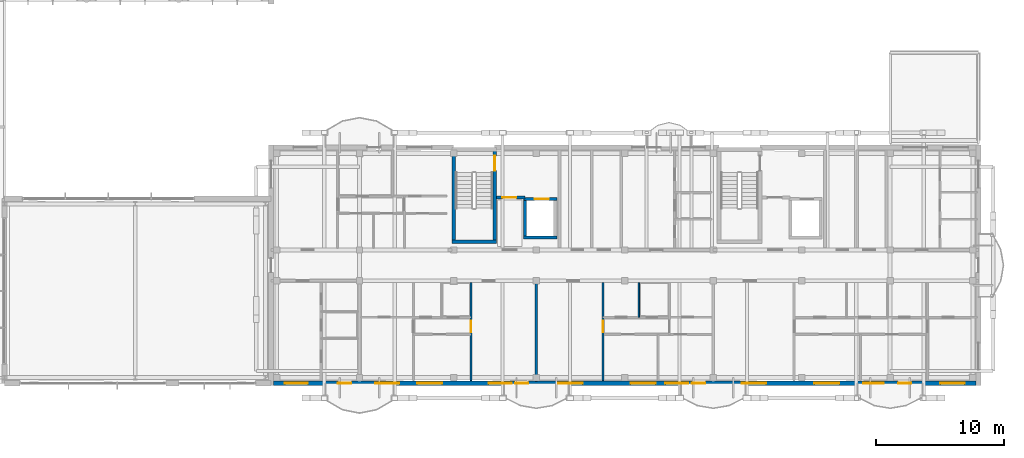
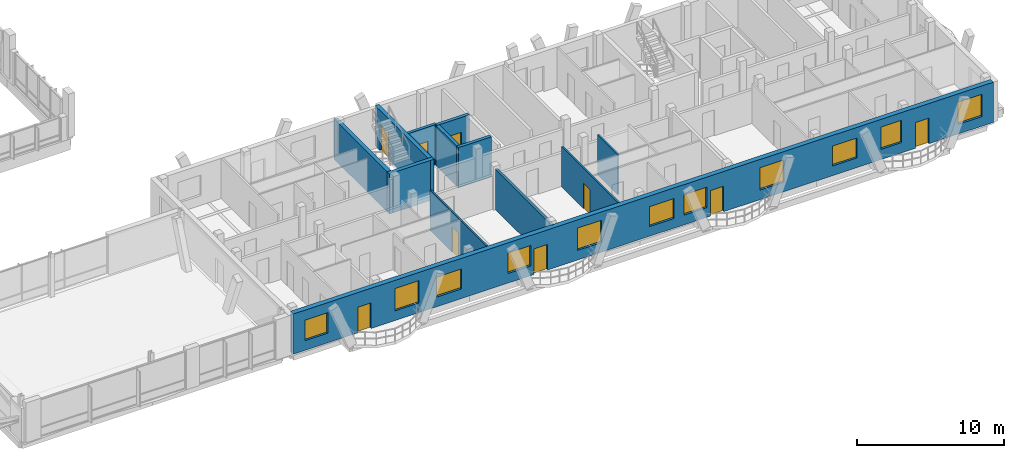
# One storey, part 159 of 189: 12 walls, 11 windows, 9 doors, 20 openings.
"""IFC4 building model written with IfcOpenShell, lengths in metres."""

from ifc_helpers import new_model, si_unit, direction, frame, frame_2d, origin, origin_with_axes, place, context, subcontext, project, spatial, rectangle, extrude, material, layer, layer_set, type_object, element, fill, save


model = new_model("IFC4")

# Units and contexts
model_context = context("Model", 3, precision=1e-05, world=origin(), true_north=direction((0.0, 1.0)))
body_context = subcontext(model_context, "Body", "Model", "MODEL_VIEW")
ifc_project = project(units=[si_unit("LENGTHUNIT", "METRE"), si_unit("AREAUNIT", "SQUARE_METRE"), si_unit("VOLUMEUNIT", "CUBIC_METRE"), si_unit("PLANEANGLEUNIT", "RADIAN"), si_unit("MASSUNIT", "GRAM", prefix="KILO")], contexts=[model_context])

# Site, building, storey
site_placement = place(None, origin())
site = spatial("IfcSite", under=ifc_project, at=site_placement, CompositionType="ELEMENT")
building_placement = place(site_placement, origin())
building = spatial("IfcBuilding", under=site, at=building_placement, Name="Zavelmont Quarter", CompositionType="ELEMENT")
storey_placement = place(building_placement, frame((0.0, 0.0, 4.39990234375)))
storey = spatial("IfcBuildingStorey", under=building, at=storey_placement, Name="L01", CompositionType="ELEMENT", Elevation=4.39990234375)

# Wall, openings, doors, windows
ifc_material_1 = material(Name="Natural Belgian limestone", Category="masonry")
ifc_layer_1 = layer(ifc_material_1, 0.3798828125)
ifc_layer_set_1 = layer_set([ifc_layer_1], Name="Natural Belgian limestone")
wall_type_1 = type_object("IfcWallType", Name="EW01", PredefinedType="STANDARD", material=ifc_layer_set_1)
wall_1_placement = place(storey_placement, frame((112.97998046875, 0.0, 0.0), z_axis=(0.0, 0.0, 1.0), x_axis=(1.0, 0.0, 0.0)))
wall_1 = element("IfcWall", 1, at=wall_1_placement, inside=storey, type_object=wall_type_1, Name="L01 exterior limestone wall EW01", PredefinedType="STANDARD", context=body_context, shape_type="SweptSolid", body=[
    extrude(rectangle(XDim=54.840087890625, YDim=0.3798828125, at=frame_2d((27.419921875, 0.0))), origin(), (0.0, 0.0, 1.0), 3.330078125),
])
opening_1_placement = place(wall_1_placement, frame((5.0400390625, 0.0, 0.0)))
opening_1 = element("IfcOpeningElement", 2, at=opening_1_placement, cuts=wall_1, Name="Opening DR04A", PredefinedType="OPENING", context=body_context, shape_type="SweptSolid", body=[
    extrude(rectangle(XDim=1.050048828125, YDim=2.1201171875, at=frame_2d((0.52490234375, 1.06005859375))), frame((0.0, 0.201904296875, 0.0), z_axis=(0.0, -1.0, 0.0), x_axis=(1.0, 0.0, 0.0)), (0.0, 0.0, 1.0), 0.40380859375),
])
opening_2_placement = place(wall_1_placement, frame((18.857421875, 0.0, 0.0)))
opening_2 = element("IfcOpeningElement", 3, at=opening_2_placement, cuts=wall_1, Name="Opening DR04A", PredefinedType="OPENING", context=body_context, shape_type="SweptSolid", body=[
    extrude(rectangle(XDim=1.050048828125, YDim=2.1201171875, at=frame_2d((0.52490234375, 1.06005859375))), frame((0.0, 0.201904296875, 0.0), z_axis=(0.0, -1.0, 0.0), x_axis=(1.0, 0.0, 0.0)), (0.0, 0.0, 1.0), 0.40380859375),
])
opening_3_placement = place(wall_1_placement, frame((32.657470703125, 0.0, 0.0)))
opening_3 = element("IfcOpeningElement", 4, at=opening_3_placement, cuts=wall_1, Name="Opening DR04A", PredefinedType="OPENING", context=body_context, shape_type="SweptSolid", body=[
    extrude(rectangle(XDim=1.050048828125, YDim=2.1201171875, at=frame_2d((0.52490234375, 1.06005859375))), frame((0.0, 0.201904296875, 0.0), z_axis=(0.0, -1.0, 0.0), x_axis=(1.0, 0.0, 0.0)), (0.0, 0.0, 1.0), 0.40380859375),
])
opening_4_placement = place(wall_1_placement, frame((48.739990234375, 0.0, 0.0)))
opening_4 = element("IfcOpeningElement", 5, at=opening_4_placement, cuts=wall_1, Name="Opening DR04A", PredefinedType="OPENING", context=body_context, shape_type="SweptSolid", body=[
    extrude(rectangle(XDim=1.050048828125, YDim=2.1201171875, at=frame_2d((0.52490234375, 1.06005859375))), frame((0.0, 0.201904296875, 0.0), z_axis=(0.0, -1.0, 0.0), x_axis=(1.0, 0.0, 0.0)), (0.0, 0.0, 1.0), 0.40380859375),
])
opening_5_placement = place(wall_1_placement, frame((0.889892578125, 0.0, 0.800048828125)))
opening_5 = element("IfcOpeningElement", 6, at=opening_5_placement, cuts=wall_1, Name="Opening WN02", PredefinedType="OPENING", context=body_context, shape_type="SweptSolid", body=[
    extrude(rectangle(XDim=1.800048828125, YDim=1.699951171875, at=frame_2d((0.89990234375, 0.85009765625))), frame((0.0, 0.201904296875, 0.0), z_axis=(0.0, -1.0, 0.0), x_axis=(1.0, 0.0, 0.0)), (0.0, 0.0, 1.0), 0.40380859375),
])
opening_6_placement = place(wall_1_placement, frame((7.93994140625, 0.0, 0.800048828125)))
opening_6 = element("IfcOpeningElement", 7, at=opening_6_placement, cuts=wall_1, Name="Opening WN20", PredefinedType="OPENING", context=body_context, shape_type="SweptSolid", body=[
    extrude(rectangle(XDim=1.89990234375, YDim=1.85009765625, at=frame_2d((0.949951171875, 0.925048828125))), frame((0.0, 0.201904296875, 0.0), z_axis=(0.0, -1.0, 0.0), x_axis=(1.0, 0.0, 0.0)), (0.0, 0.0, 1.0), 0.40380859375),
])
opening_7_placement = place(wall_1_placement, frame((11.215087890625, 0.0, 0.800048828125)))
opening_7 = element("IfcOpeningElement", 8, at=opening_7_placement, cuts=wall_1, Name="Opening WN24", PredefinedType="OPENING", context=body_context, shape_type="SweptSolid", body=[
    extrude(rectangle(XDim=1.949951171875, YDim=1.64990234375, at=frame_2d((0.97509765625, 0.824951171875))), frame((0.0, 0.201904296875, 0.0), z_axis=(0.0, -1.0, 0.0), x_axis=(1.0, 0.0, 0.0)), (0.0, 0.0, 1.0), 0.40380859375),
])
opening_8_placement = place(wall_1_placement, frame((16.7900390625, 0.0, 0.800048828125)))
opening_8 = element("IfcOpeningElement", 9, at=opening_8_placement, cuts=wall_1, Name="Opening WN02", PredefinedType="OPENING", context=body_context, shape_type="SweptSolid", body=[
    extrude(rectangle(XDim=1.800048828125, YDim=1.699951171875, at=frame_2d((0.89990234375, 0.85009765625))), frame((0.0, 0.201904296875, 0.0), z_axis=(0.0, -1.0, 0.0), x_axis=(1.0, 0.0, 0.0)), (0.0, 0.0, 1.0), 0.40380859375),
])
opening_9_placement = place(wall_1_placement, frame((22.239990234375, 0.0, 0.800048828125)))
opening_9 = element("IfcOpeningElement", 10, at=opening_9_placement, cuts=wall_1, Name="Opening WN20", PredefinedType="OPENING", context=body_context, shape_type="SweptSolid", body=[
    extrude(rectangle(XDim=1.89990234375, YDim=1.85009765625, at=frame_2d((0.949951171875, 0.925048828125))), frame((0.0, 0.201904296875, 0.0), z_axis=(0.0, -1.0, 0.0), x_axis=(1.0, 0.0, 0.0)), (0.0, 0.0, 1.0), 0.40380859375),
])
opening_10_placement = place(wall_1_placement, frame((27.87255859375, 0.0, 0.800048828125)))
opening_10 = element("IfcOpeningElement", 11, at=opening_10_placement, cuts=wall_1, Name="Opening WN24", PredefinedType="OPENING", context=body_context, shape_type="SweptSolid", body=[
    extrude(rectangle(XDim=1.949951171875, YDim=1.64990234375, at=frame_2d((0.97509765625, 0.824951171875))), frame((0.0, 0.201904296875, 0.0), z_axis=(0.0, -1.0, 0.0), x_axis=(1.0, 0.0, 0.0)), (0.0, 0.0, 1.0), 0.40380859375),
])
opening_11_placement = place(wall_1_placement, frame((30.590087890625, 0.0, 0.800048828125)))
opening_11 = element("IfcOpeningElement", 12, at=opening_11_placement, cuts=wall_1, Name="Opening WN02", PredefinedType="OPENING", context=body_context, shape_type="SweptSolid", body=[
    extrude(rectangle(XDim=1.800048828125, YDim=1.699951171875, at=frame_2d((0.89990234375, 0.85009765625))), frame((0.0, 0.201904296875, 0.0), z_axis=(0.0, -1.0, 0.0), x_axis=(1.0, 0.0, 0.0)), (0.0, 0.0, 1.0), 0.40380859375),
])
opening_12_placement = place(wall_1_placement, frame((36.5400390625, 0.0, 0.800048828125)))
opening_12 = element("IfcOpeningElement", 13, at=opening_12_placement, cuts=wall_1, Name="Opening WN20", PredefinedType="OPENING", context=body_context, shape_type="SweptSolid", body=[
    extrude(rectangle(XDim=1.89990234375, YDim=1.85009765625, at=frame_2d((0.949951171875, 0.925048828125))), frame((0.0, 0.201904296875, 0.0), z_axis=(0.0, -1.0, 0.0), x_axis=(1.0, 0.0, 0.0)), (0.0, 0.0, 1.0), 0.40380859375),
])
opening_13_placement = place(wall_1_placement, frame((42.215087890625, 0.0, 0.800048828125)))
opening_13 = element("IfcOpeningElement", 14, at=opening_13_placement, cuts=wall_1, Name="Opening WN24", PredefinedType="OPENING", context=body_context, shape_type="SweptSolid", body=[
    extrude(rectangle(XDim=1.949951171875, YDim=1.64990234375, at=frame_2d((0.97509765625, 0.824951171875))), frame((0.0, 0.201904296875, 0.0), z_axis=(0.0, -1.0, 0.0), x_axis=(1.0, 0.0, 0.0)), (0.0, 0.0, 1.0), 0.40380859375),
])
opening_14_placement = place(wall_1_placement, frame((46.0400390625, 0.0, 0.85009765625)))
opening_14 = element("IfcOpeningElement", 15, at=opening_14_placement, cuts=wall_1, Name="Opening WN19", PredefinedType="OPENING", context=body_context, shape_type="SweptSolid", body=[
    extrude(rectangle(XDim=1.60009765625, YDim=1.85009765625, at=frame_2d((0.800048828125, 0.925048828125))), frame((0.0, 0.201904296875, 0.0), z_axis=(0.0, -1.0, 0.0), x_axis=(1.0, 0.0, 0.0)), (0.0, 0.0, 1.0), 0.40380859375),
])
opening_15_placement = place(wall_1_placement, frame((52.0400390625, 0.0, 0.800048828125)))
opening_15 = element("IfcOpeningElement", 16, at=opening_15_placement, cuts=wall_1, Name="Opening WN20", PredefinedType="OPENING", context=body_context, shape_type="SweptSolid", body=[
    extrude(rectangle(XDim=1.89990234375, YDim=1.85009765625, at=frame_2d((0.949951171875, 0.925048828125))), frame((0.0, 0.201904296875, 0.0), z_axis=(0.0, -1.0, 0.0), x_axis=(1.0, 0.0, 0.0)), (0.0, 0.0, 1.0), 0.40380859375),
])
ifc_material_2 = material(Name="Thermally broken aluminium and double safety glass", Category="aluminium")
door_type_1 = type_object("IfcDoorType", Name="DR04A", OperationType="NOTDEFINED", PredefinedType="DOOR", material=ifc_material_2)
door_1_placement = place(opening_1_placement, origin_with_axes())
door_1 = element("IfcDoor", 17, at=door_1_placement, inside=storey, type_object=door_type_1, Name="Block D L01 glazed balcony door", OperationType="SINGLE_SWING_RIGHT", OverallHeight=2.1201171875, OverallWidth=1.050048828125, PredefinedType="DOOR", context=body_context, shape_type="SweptSolid", body=[
    extrude(rectangle(XDim=1.050048828125, YDim=2.1201171875, at=frame_2d((0.52490234375, 1.06005859375))), frame((0.0, 0.02490234375, 0.0), z_axis=(0.0, -1.0, 0.0), x_axis=(1.0, 0.0, 0.0)), (0.0, 0.0, 1.0), 0.050048828125),
])
fill(opening_1, door_1)
door_2_placement = place(opening_2_placement, origin_with_axes())
door_2 = element("IfcDoor", 18, at=door_2_placement, inside=storey, type_object=door_type_1, Name="Block D L01 glazed balcony door", OperationType="SINGLE_SWING_RIGHT", OverallHeight=2.1201171875, OverallWidth=1.050048828125, PredefinedType="DOOR", context=body_context, shape_type="SweptSolid", body=[
    extrude(rectangle(XDim=1.050048828125, YDim=2.1201171875, at=frame_2d((0.52490234375, 1.06005859375))), frame((0.0, 0.02490234375, 0.0), z_axis=(0.0, -1.0, 0.0), x_axis=(1.0, 0.0, 0.0)), (0.0, 0.0, 1.0), 0.050048828125),
])
fill(opening_2, door_2)
door_3_placement = place(opening_3_placement, origin_with_axes())
door_3 = element("IfcDoor", 19, at=door_3_placement, inside=storey, type_object=door_type_1, Name="Block D L01 glazed balcony door", OperationType="SINGLE_SWING_RIGHT", OverallHeight=2.1201171875, OverallWidth=1.050048828125, PredefinedType="DOOR", context=body_context, shape_type="SweptSolid", body=[
    extrude(rectangle(XDim=1.050048828125, YDim=2.1201171875, at=frame_2d((0.52490234375, 1.06005859375))), frame((0.0, 0.02490234375, 0.0), z_axis=(0.0, -1.0, 0.0), x_axis=(1.0, 0.0, 0.0)), (0.0, 0.0, 1.0), 0.050048828125),
])
fill(opening_3, door_3)
door_4_placement = place(opening_4_placement, origin_with_axes())
door_4 = element("IfcDoor", 20, at=door_4_placement, inside=storey, type_object=door_type_1, Name="Block D L01 glazed balcony door", OperationType="SINGLE_SWING_LEFT", OverallHeight=2.1201171875, OverallWidth=1.050048828125, PredefinedType="DOOR", context=body_context, shape_type="SweptSolid", body=[
    extrude(rectangle(XDim=1.050048828125, YDim=2.1201171875, at=frame_2d((0.52490234375, 1.06005859375))), frame((0.0, 0.02490234375, 0.0), z_axis=(0.0, -1.0, 0.0), x_axis=(1.0, 0.0, 0.0)), (0.0, 0.0, 1.0), 0.050048828125),
])
fill(opening_4, door_4)
ifc_material_3 = material(Name="Double low-E insulated glazing in thermally broken aluminium frame", Category="aluminium")
window_type_1 = type_object("IfcWindowType", Name="WN02", PartitioningType="SINGLE_PANEL", PredefinedType="WINDOW", material=ifc_material_3)
window_1_placement = place(opening_5_placement, origin_with_axes())
window_1 = element("IfcWindow", 21, at=window_1_placement, inside=storey, type_object=window_type_1, Name="L01 window WN02", OverallHeight=1.699951171875, OverallWidth=1.800048828125, PartitioningType="SINGLE_PANEL", PredefinedType="WINDOW", context=body_context, shape_type="SweptSolid", body=[
    extrude(rectangle(XDim=1.800048828125, YDim=1.699951171875, at=frame_2d((0.89990234375, 0.85009765625))), frame((0.0, 0.030029296875, 0.0), z_axis=(0.0, -1.0, 0.0), x_axis=(1.0, 0.0, 0.0)), (0.0, 0.0, 1.0), 0.06005859375),
])
fill(opening_5, window_1)
window_2_placement = place(opening_8_placement, origin_with_axes())
window_2 = element("IfcWindow", 22, at=window_2_placement, inside=storey, type_object=window_type_1, Name="L01 window WN02", OverallHeight=1.699951171875, OverallWidth=1.800048828125, PartitioningType="SINGLE_PANEL", PredefinedType="WINDOW", context=body_context, shape_type="SweptSolid", body=[
    extrude(rectangle(XDim=1.800048828125, YDim=1.699951171875, at=frame_2d((0.89990234375, 0.85009765625))), frame((0.0, 0.030029296875, 0.0), z_axis=(0.0, -1.0, 0.0), x_axis=(1.0, 0.0, 0.0)), (0.0, 0.0, 1.0), 0.06005859375),
])
fill(opening_8, window_2)
window_3_placement = place(opening_11_placement, origin_with_axes())
window_3 = element("IfcWindow", 23, at=window_3_placement, inside=storey, type_object=window_type_1, Name="L01 window WN02", OverallHeight=1.699951171875, OverallWidth=1.800048828125, PartitioningType="SINGLE_PANEL", PredefinedType="WINDOW", context=body_context, shape_type="SweptSolid", body=[
    extrude(rectangle(XDim=1.800048828125, YDim=1.699951171875, at=frame_2d((0.89990234375, 0.85009765625))), frame((0.0, 0.030029296875, 0.0), z_axis=(0.0, -1.0, 0.0), x_axis=(1.0, 0.0, 0.0)), (0.0, 0.0, 1.0), 0.06005859375),
])
fill(opening_11, window_3)
window_type_2 = type_object("IfcWindowType", Name="WN19", PartitioningType="SINGLE_PANEL", PredefinedType="WINDOW", material=ifc_material_3)
window_4_placement = place(opening_14_placement, origin_with_axes())
window_4 = element("IfcWindow", 24, at=window_4_placement, inside=storey, type_object=window_type_2, Name="L01 window WN19", OverallHeight=1.85009765625, OverallWidth=1.60009765625, PartitioningType="SINGLE_PANEL", PredefinedType="WINDOW", context=body_context, shape_type="SweptSolid", body=[
    extrude(rectangle(XDim=1.60009765625, YDim=1.85009765625, at=frame_2d((0.800048828125, 0.925048828125))), frame((0.0, 0.030029296875, 0.0), z_axis=(0.0, -1.0, 0.0), x_axis=(1.0, 0.0, 0.0)), (0.0, 0.0, 1.0), 0.06005859375),
])
fill(opening_14, window_4)
window_type_3 = type_object("IfcWindowType", Name="WN20", PartitioningType="SINGLE_PANEL", PredefinedType="WINDOW", material=ifc_material_3)
window_5_placement = place(opening_6_placement, origin_with_axes())
window_5 = element("IfcWindow", 25, at=window_5_placement, inside=storey, type_object=window_type_3, Name="L01 window WN20", OverallHeight=1.85009765625, OverallWidth=1.89990234375, PartitioningType="SINGLE_PANEL", PredefinedType="WINDOW", context=body_context, shape_type="SweptSolid", body=[
    extrude(rectangle(XDim=1.89990234375, YDim=1.85009765625, at=frame_2d((0.949951171875, 0.925048828125))), frame((0.0, 0.030029296875, 0.0), z_axis=(0.0, -1.0, 0.0), x_axis=(1.0, 0.0, 0.0)), (0.0, 0.0, 1.0), 0.06005859375),
])
fill(opening_6, window_5)
window_6_placement = place(opening_9_placement, origin_with_axes())
window_6 = element("IfcWindow", 26, at=window_6_placement, inside=storey, type_object=window_type_3, Name="L01 window WN20", OverallHeight=1.85009765625, OverallWidth=1.89990234375, PartitioningType="SINGLE_PANEL", PredefinedType="WINDOW", context=body_context, shape_type="SweptSolid", body=[
    extrude(rectangle(XDim=1.89990234375, YDim=1.85009765625, at=frame_2d((0.949951171875, 0.925048828125))), frame((0.0, 0.030029296875, 0.0), z_axis=(0.0, -1.0, 0.0), x_axis=(1.0, 0.0, 0.0)), (0.0, 0.0, 1.0), 0.06005859375),
])
fill(opening_9, window_6)
window_7_placement = place(opening_12_placement, origin_with_axes())
window_7 = element("IfcWindow", 27, at=window_7_placement, inside=storey, type_object=window_type_3, Name="L01 window WN20", OverallHeight=1.85009765625, OverallWidth=1.89990234375, PartitioningType="SINGLE_PANEL", PredefinedType="WINDOW", context=body_context, shape_type="SweptSolid", body=[
    extrude(rectangle(XDim=1.89990234375, YDim=1.85009765625, at=frame_2d((0.949951171875, 0.925048828125))), frame((0.0, 0.030029296875, 0.0), z_axis=(0.0, -1.0, 0.0), x_axis=(1.0, 0.0, 0.0)), (0.0, 0.0, 1.0), 0.06005859375),
])
fill(opening_12, window_7)
window_8_placement = place(opening_15_placement, origin_with_axes())
window_8 = element("IfcWindow", 28, at=window_8_placement, inside=storey, type_object=window_type_3, Name="L01 window WN20", OverallHeight=1.85009765625, OverallWidth=1.89990234375, PartitioningType="SINGLE_PANEL", PredefinedType="WINDOW", context=body_context, shape_type="SweptSolid", body=[
    extrude(rectangle(XDim=1.89990234375, YDim=1.85009765625, at=frame_2d((0.949951171875, 0.925048828125))), frame((0.0, 0.030029296875, 0.0), z_axis=(0.0, -1.0, 0.0), x_axis=(1.0, 0.0, 0.0)), (0.0, 0.0, 1.0), 0.06005859375),
])
fill(opening_15, window_8)
window_type_4 = type_object("IfcWindowType", Name="WN24", PartitioningType="SINGLE_PANEL", PredefinedType="WINDOW", material=ifc_material_3)
window_9_placement = place(opening_7_placement, origin_with_axes())
window_9 = element("IfcWindow", 29, at=window_9_placement, inside=storey, type_object=window_type_4, Name="L01 window WN24", OverallHeight=1.64990234375, OverallWidth=1.949951171875, PartitioningType="SINGLE_PANEL", PredefinedType="WINDOW", context=body_context, shape_type="SweptSolid", body=[
    extrude(rectangle(XDim=1.949951171875, YDim=1.64990234375, at=frame_2d((0.97509765625, 0.824951171875))), frame((0.0, 0.030029296875, 0.0), z_axis=(0.0, -1.0, 0.0), x_axis=(1.0, 0.0, 0.0)), (0.0, 0.0, 1.0), 0.06005859375),
])
fill(opening_7, window_9)
window_10_placement = place(opening_10_placement, origin_with_axes())
window_10 = element("IfcWindow", 30, at=window_10_placement, inside=storey, type_object=window_type_4, Name="L01 window WN24", OverallHeight=1.64990234375, OverallWidth=1.949951171875, PartitioningType="SINGLE_PANEL", PredefinedType="WINDOW", context=body_context, shape_type="SweptSolid", body=[
    extrude(rectangle(XDim=1.949951171875, YDim=1.64990234375, at=frame_2d((0.97509765625, 0.824951171875))), frame((0.0, 0.030029296875, 0.0), z_axis=(0.0, -1.0, 0.0), x_axis=(1.0, 0.0, 0.0)), (0.0, 0.0, 1.0), 0.06005859375),
])
fill(opening_10, window_10)
window_11_placement = place(opening_13_placement, origin_with_axes())
window_11 = element("IfcWindow", 31, at=window_11_placement, inside=storey, type_object=window_type_4, Name="L01 window WN24", OverallHeight=1.64990234375, OverallWidth=1.949951171875, PartitioningType="SINGLE_PANEL", PredefinedType="WINDOW", context=body_context, shape_type="SweptSolid", body=[
    extrude(rectangle(XDim=1.949951171875, YDim=1.64990234375, at=frame_2d((0.97509765625, 0.824951171875))), frame((0.0, 0.030029296875, 0.0), z_axis=(0.0, -1.0, 0.0), x_axis=(1.0, 0.0, 0.0)), (0.0, 0.0, 1.0), 0.06005859375),
])
fill(opening_13, window_11)

# Wall
ifc_material_4 = material(Name="Calcium-silicate blockwork and acoustic plaster", Category="masonry")
ifc_layer_2 = layer(ifc_material_4, 0.199951171875)
ifc_layer_set_2 = layer_set([ifc_layer_2], Name="Calcium-silicate blockwork and acoustic plaster")
wall_type_2 = type_object("IfcWallType", Name="IW01", PredefinedType="PARTITIONING", material=ifc_layer_set_2)
wall_2_placement = place(storey_placement, frame((133.5, 7.85009765625, 0.0), z_axis=(0.0, 0.0, 1.0), x_axis=(0.0, -1.0, 0.0)))
element("IfcWall", 32, at=wall_2_placement, inside=storey, type_object=wall_type_2, Name="L01 Inter-dwelling compartment wall IW01", PredefinedType="PARTITIONING", context=body_context, shape_type="SweptSolid", body=[
    extrude(rectangle(XDim=7.7001953125, YDim=0.199951171875, at=frame_2d((3.85009765625, 0.0))), origin(), (0.0, 0.0, 1.0), 3.330078125),
])

# Wall, opening, door
ifc_material_5 = material(Name="Reinforced masonry fire compartment wall", Category="masonry")
ifc_layer_3 = layer(ifc_material_5, 0.22509765625)
ifc_layer_set_3 = layer_set([ifc_layer_3], Name="Reinforced masonry fire compartment wall")
wall_type_3 = type_object("IfcWallType", Name="IW02", PredefinedType="PARTITIONING", material=ifc_layer_set_3)
wall_3_placement = place(storey_placement, frame((130.39990234375, 14.5, 0.0), z_axis=(0.0, 0.0, 1.0), x_axis=(1.0, 0.0, 0.0)))
wall_3 = element("IfcWall", 33, at=wall_3_placement, inside=storey, type_object=wall_type_3, Name="L01 Firefighting lobby threshold wall IW02", PredefinedType="PARTITIONING", context=body_context, shape_type="SweptSolid", body=[
    extrude(rectangle(XDim=2.2001953125, YDim=0.22509765625, at=frame_2d((1.10009765625, 0.0))), origin(), (0.0, 0.0, 1.0), 3.330078125),
])
opening_16_placement = place(wall_3_placement, frame((0.449951171875, 0.0, 0.0)))
opening_16 = element("IfcOpeningElement", 34, at=opening_16_placement, cuts=wall_3, Name="Opening DR10", PredefinedType="OPENING", context=body_context, shape_type="SweptSolid", body=[
    extrude(rectangle(XDim=1.10009765625, YDim=2.14990234375, at=frame_2d((0.550048828125, 1.074951171875))), frame((0.0, 0.12451171875, 0.0), z_axis=(0.0, -1.0, 0.0), x_axis=(1.0, 0.0, 0.0)), (0.0, 0.0, 1.0), 0.2490234375),
])
ifc_material_6 = material(Name="Painted steel lobby fire door", Category="steel")
door_type_2 = type_object("IfcDoorType", Name="DR10", OperationType="NOTDEFINED", PredefinedType="DOOR", material=ifc_material_6)
door_5_placement = place(opening_16_placement, origin_with_axes())
door_5 = element("IfcDoor", 35, at=door_5_placement, inside=storey, type_object=door_type_2, Name="Firefighting lobby fire door", OperationType="SINGLE_SWING_LEFT", OverallHeight=2.14990234375, OverallWidth=1.10009765625, PredefinedType="DOOR", context=body_context, shape_type="SweptSolid", body=[
    extrude(rectangle(XDim=1.10009765625, YDim=2.14990234375, at=frame_2d((0.550048828125, 1.074951171875))), frame((0.0, 0.02490234375, 0.0), z_axis=(0.0, -1.0, 0.0), x_axis=(1.0, 0.0, 0.0)), (0.0, 0.0, 1.0), 0.050048828125),
])
fill(opening_16, door_5)

ifc_material_7 = material(Name="Double gypsum board on acoustic steel stud", Category="steel")
ifc_layer_4 = layer(ifc_material_7, 0.125)
ifc_layer_set_4 = layer_set([ifc_layer_4], Name="Double gypsum board on acoustic steel stud")
wall_type_4 = type_object("IfcWallType", Name="IW03", PredefinedType="PARTITIONING", material=ifc_layer_set_4)
wall_4_placement = place(storey_placement, frame((128.39990234375, 7.85009765625, 0.0), z_axis=(0.0, 0.0, 1.0), x_axis=(0.0, -1.0, 0.0)))
wall_4 = element("IfcWall", 36, at=wall_4_placement, inside=storey, type_object=wall_type_4, Name="L01 Partition IW03", PredefinedType="PARTITIONING", context=body_context, shape_type="SweptSolid", body=[
    extrude(rectangle(XDim=7.650146484375, YDim=0.125, at=frame_2d((3.8251953125, 0.0))), origin(), (0.0, 0.0, 1.0), 3.330078125),
])
opening_17_placement = place(wall_4_placement, frame((2.949951171875, 0.0, 0.0)))
opening_17 = element("IfcOpeningElement", 37, at=opening_17_placement, cuts=wall_4, Name="Opening DR05", PredefinedType="OPENING", context=body_context, shape_type="SweptSolid", body=[
    extrude(rectangle(XDim=0.89990234375, YDim=2.10009765625, at=frame_2d((0.449951171875, 1.050048828125))), frame((0.0, 0.074462890625, 0.0), z_axis=(0.0, -1.0, 0.0), x_axis=(1.0, 0.0, 0.0)), (0.0, 0.0, 1.0), 0.14892578125),
])
ifc_material_8 = material(Name="Engineered oak flush interior door")
door_type_3 = type_object("IfcDoorType", Name="DR05", OperationType="NOTDEFINED", PredefinedType="DOOR", material=ifc_material_8)
door_6_placement = place(opening_17_placement, frame((0.89990234375, 0.0, 0.0), z_axis=(0.0, 0.0, 1.0), x_axis=(-1.0, 0.0, 0.0)))
door_6 = element("IfcDoor", 38, at=door_6_placement, inside=storey, type_object=door_type_3, Name="L01 door DR05", OperationType="SINGLE_SWING_RIGHT", OverallHeight=2.10009765625, OverallWidth=0.89990234375, PredefinedType="DOOR", context=body_context, shape_type="SweptSolid", body=[
    extrude(rectangle(XDim=0.89990234375, YDim=2.10009765625, at=frame_2d((0.449951171875, 1.050048828125))), frame((0.0, 0.02490234375, 0.0), z_axis=(0.0, -1.0, 0.0), x_axis=(1.0, 0.0, 0.0)), (0.0, 0.0, 1.0), 0.050048828125),
])
fill(opening_17, door_6)

wall_5_placement = place(storey_placement, frame((138.699951171875, 7.85009765625, 0.0), z_axis=(0.0, 0.0, 1.0), x_axis=(0.0, -1.0, 0.0)))
wall_5 = element("IfcWall", 39, at=wall_5_placement, inside=storey, type_object=wall_type_4, Name="L01 Partition IW03", PredefinedType="PARTITIONING", context=body_context, shape_type="SweptSolid", body=[
    extrude(rectangle(XDim=7.650146484375, YDim=0.125, at=frame_2d((3.8251953125, 0.0))), origin(), (0.0, 0.0, 1.0), 3.330078125),
])
opening_18_placement = place(wall_5_placement, frame((2.949951171875, 0.0, 0.0)))
opening_18 = element("IfcOpeningElement", 40, at=opening_18_placement, cuts=wall_5, Name="Opening DR05", PredefinedType="OPENING", context=body_context, shape_type="SweptSolid", body=[
    extrude(rectangle(XDim=0.89990234375, YDim=2.10009765625, at=frame_2d((0.449951171875, 1.050048828125))), frame((0.0, 0.074462890625, 0.0), z_axis=(0.0, -1.0, 0.0), x_axis=(1.0, 0.0, 0.0)), (0.0, 0.0, 1.0), 0.14892578125),
])
door_7_placement = place(opening_18_placement, origin_with_axes())
door_7 = element("IfcDoor", 41, at=door_7_placement, inside=storey, type_object=door_type_3, Name="L01 door DR05", OperationType="SINGLE_SWING_RIGHT", OverallHeight=2.10009765625, OverallWidth=0.89990234375, PredefinedType="DOOR", context=body_context, shape_type="SweptSolid", body=[
    extrude(rectangle(XDim=0.89990234375, YDim=2.10009765625, at=frame_2d((0.449951171875, 1.050048828125))), frame((0.0, 0.02490234375, 0.0), z_axis=(0.0, -1.0, 0.0), x_axis=(1.0, 0.0, 0.0)), (0.0, 0.0, 1.0), 0.050048828125),
])
fill(opening_18, door_7)

# Walls
ifc_material_9 = material(Name="Moisture-resistant gypsum board on steel stud", Category="steel")
ifc_layer_5 = layer(ifc_material_9, 0.10009765625)
ifc_layer_set_5 = layer_set([ifc_layer_5], Name="Moisture-resistant gypsum board on steel stud")
wall_type_5 = type_object("IfcWallType", Name="IW04", PredefinedType="PARTITIONING", material=ifc_layer_set_5)
wall_6_placement = place(storey_placement, frame((141.5, 7.85009765625, 0.0), z_axis=(0.0, 0.0, 1.0), x_axis=(0.0, -1.0, 0.0)))
element("IfcWall", 42, at=wall_6_placement, inside=storey, type_object=wall_type_5, Name="L01 Partition IW04", PredefinedType="PARTITIONING", context=body_context, shape_type="SweptSolid", body=[
    extrude(rectangle(XDim=2.7001953125, YDim=0.10009765625, at=frame_2d((1.35009765625, 0.0))), origin(), (0.0, 0.0, 1.0), 3.330078125),
])
ifc_material_10 = material(Name="Concrete C40/50", Category="concrete")
ifc_layer_6 = layer(ifc_material_10, 0.300048828125)
ifc_layer_set_6 = layer_set([ifc_layer_6], Name="Concrete C40/50")
wall_type_6 = type_object("IfcWallType", Name="SW01", PredefinedType="SHEAR", material=ifc_layer_set_6)
wall_7_placement = place(storey_placement, frame((126.89990234375, 11.050048828125, 0.0), z_axis=(0.0, 0.0, 1.0), x_axis=(1.0, 0.0, 0.0)))
element("IfcWall", 43, at=wall_7_placement, inside=storey, type_object=wall_type_6, Name="L01 ST07 corridor shear wall SW01", PredefinedType="SHEAR", context=body_context, shape_type="SweptSolid", body=[
    extrude(rectangle(XDim=3.5, YDim=0.300048828125, at=frame_2d((1.75, 0.0))), origin(), (0.0, 0.0, 1.0), 3.330078125),
])
wall_8_placement = place(storey_placement, frame((127.050048828125, 10.89990234375, 0.0), z_axis=(0.0, 0.0, 1.0), x_axis=(0.0, 1.0, 0.0)))
element("IfcWall", 44, at=wall_8_placement, inside=storey, type_object=wall_type_6, Name="L01 ST07 west shear wall SW01", PredefinedType="SHEAR", context=body_context, shape_type="SweptSolid", body=[
    extrude(rectangle(XDim=7.5, YDim=0.300048828125, at=frame_2d((3.75, 0.0))), origin(), (0.0, 0.0, 1.0), 3.330078125),
])

# Wall, opening, door
wall_9_placement = place(storey_placement, frame((130.25, 10.89990234375, 0.0), z_axis=(0.0, 0.0, 1.0), x_axis=(0.0, 1.0, 0.0)))
wall_9 = element("IfcWall", 45, at=wall_9_placement, inside=storey, type_object=wall_type_6, Name="L01 ST07 lobby shear wall SW01", PredefinedType="SHEAR", context=body_context, shape_type="SweptSolid", body=[
    extrude(rectangle(XDim=7.5, YDim=0.300048828125, at=frame_2d((3.75, 0.0))), origin(), (0.0, 0.0, 1.0), 3.330078125),
])
opening_19_placement = place(wall_9_placement, frame((5.699951171875, 0.0, 0.0)))
opening_19 = element("IfcOpeningElement", 46, at=opening_19_placement, cuts=wall_9, Name="Opening DR09", PredefinedType="OPENING", context=body_context, shape_type="SweptSolid", body=[
    extrude(rectangle(XDim=1.14990234375, YDim=2.14990234375, at=frame_2d((0.574951171875, 1.074951171875))), frame((0.0, 0.162109375, 0.0), z_axis=(0.0, -1.0, 0.0), x_axis=(1.0, 0.0, 0.0)), (0.0, 0.0, 1.0), 0.323974609375),
])
ifc_material_11 = material(Name="Painted steel stair-core fire door", Category="steel")
door_type_4 = type_object("IfcDoorType", Name="DR09", OperationType="NOTDEFINED", PredefinedType="DOOR", material=ifc_material_11)
door_8_placement = place(opening_19_placement, origin_with_axes())
door_8 = element("IfcDoor", 47, at=door_8_placement, inside=storey, type_object=door_type_4, Name="ST07 protected stair door", OperationType="SINGLE_SWING_LEFT", OverallHeight=2.14990234375, OverallWidth=1.14990234375, PredefinedType="DOOR", context=body_context, shape_type="SweptSolid", body=[
    extrude(rectangle(XDim=1.14990234375, YDim=2.14990234375, at=frame_2d((0.574951171875, 1.074951171875))), frame((0.0, 0.02490234375, 0.0), z_axis=(0.0, -1.0, 0.0), x_axis=(1.0, 0.0, 0.0)), (0.0, 0.0, 1.0), 0.050048828125),
])
fill(opening_19, door_8)

ifc_layer_7 = layer(ifc_material_10, 0.25)
ifc_layer_set_7 = layer_set([ifc_layer_7], Name="Concrete C40/50")
wall_type_7 = type_object("IfcWallType", Name="SW02", PredefinedType="SHEAR", material=ifc_layer_set_7)
wall_10_placement = place(storey_placement, frame((132.5, 14.375, 0.0), z_axis=(0.0, 0.0, 1.0), x_axis=(1.0, 0.0, 0.0)))
wall_10 = element("IfcWall", 48, at=wall_10_placement, inside=storey, type_object=wall_type_7, Name="L01 Lift FL04 landing shaft wall SW02", PredefinedType="SHEAR", context=body_context, shape_type="SweptSolid", body=[
    extrude(rectangle(XDim=2.60009765625, YDim=0.25, at=frame_2d((1.300048828125, 0.0))), origin(), (0.0, 0.0, 1.0), 3.330078125),
])
opening_20_placement = place(wall_10_placement, frame((0.875, 0.0, 0.0)))
opening_20 = element("IfcOpeningElement", 49, at=opening_20_placement, cuts=wall_10, Name="Opening LD02", PredefinedType="OPENING", context=body_context, shape_type="SweptSolid", body=[
    extrude(rectangle(XDim=1.10009765625, YDim=2.10009765625, at=frame_2d((0.550048828125, 1.050048828125))), frame((0.0, 0.136962890625, 0.0), z_axis=(0.0, -1.0, 0.0), x_axis=(1.0, 0.0, 0.0)), (0.0, 0.0, 1.0), 0.27392578125),
])
ifc_material_12 = material(Name="Brushed stainless-steel firefighting lift landing door", Category="steel")
door_type_5 = type_object("IfcDoorType", Name="LD02", OperationType="SLIDING_TO_LEFT", PredefinedType="DOOR", material=ifc_material_12)
door_9_placement = place(opening_20_placement, origin_with_axes())
door_9 = element("IfcDoor", 50, at=door_9_placement, inside=storey, type_object=door_type_5, Name="Lift FL04 sliding landing door", OperationType="SLIDING_TO_LEFT", OverallHeight=2.10009765625, OverallWidth=1.10009765625, PredefinedType="DOOR", context=body_context, shape_type="SweptSolid", body=[
    extrude(rectangle(XDim=1.10009765625, YDim=2.10009765625, at=frame_2d((0.550048828125, 1.050048828125))), frame((0.0, 0.02490234375, 0.0), z_axis=(0.0, -1.0, 0.0), x_axis=(1.0, 0.0, 0.0)), (0.0, 0.0, 1.0), 0.050048828125),
])
fill(opening_20, door_9)

# Walls
wall_11_placement = place(storey_placement, frame((132.5, 11.375, 0.0), z_axis=(0.0, 0.0, 1.0), x_axis=(1.0, 0.0, 0.0)))
element("IfcWall", 51, at=wall_11_placement, inside=storey, type_object=wall_type_7, Name="L01 Lift FL04 back shaft wall SW02", PredefinedType="SHEAR", context=body_context, shape_type="SweptSolid", body=[
    extrude(rectangle(XDim=2.60009765625, YDim=0.25, at=frame_2d((1.300048828125, 0.0))), origin(), (0.0, 0.0, 1.0), 3.330078125),
])
wall_12_placement = place(storey_placement, frame((132.625, 11.25, 0.0), z_axis=(0.0, 0.0, 1.0), x_axis=(0.0, 1.0, 0.0)))
element("IfcWall", 52, at=wall_12_placement, inside=storey, type_object=wall_type_7, Name="L01 Lift FL04 west shaft wall SW02", PredefinedType="SHEAR", context=body_context, shape_type="SweptSolid", body=[
    extrude(rectangle(XDim=3.25, YDim=0.25, at=frame_2d((1.625, 0.0))), origin(), (0.0, 0.0, 1.0), 3.330078125),
])

save(model, "model.ifc")
